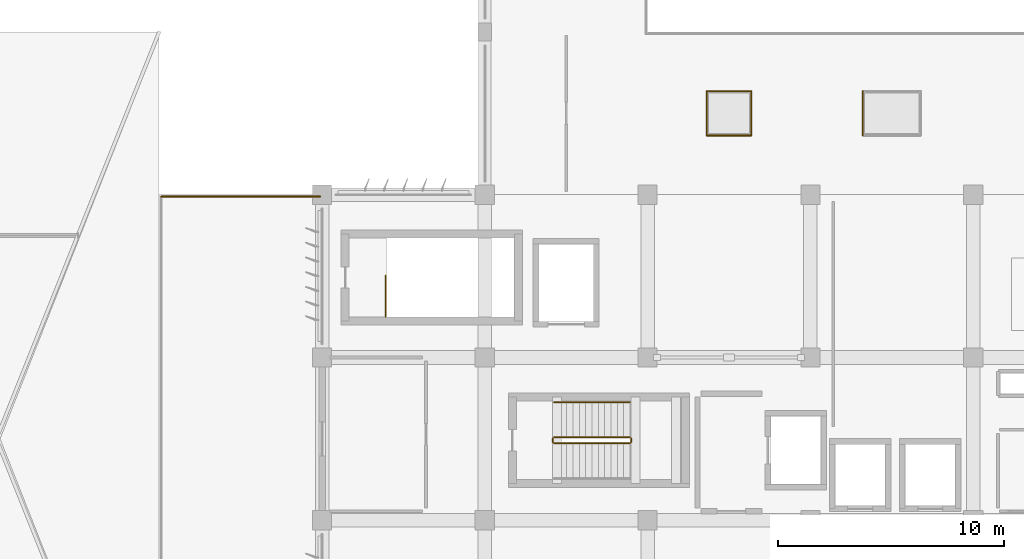
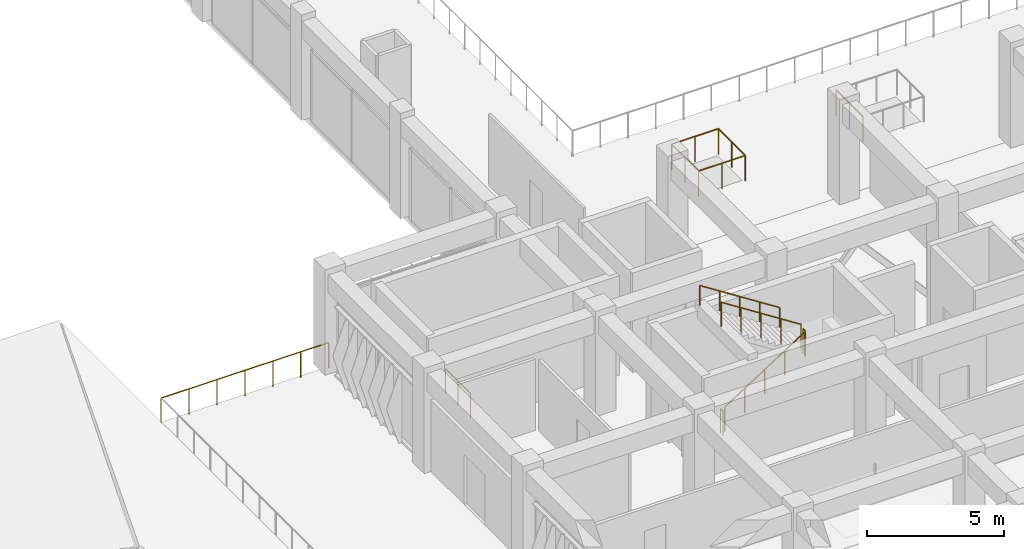
# One storey, part 50 of 55: 12 railings.
"""IFC4 building model written with IfcOpenShell, lengths in metres."""

from ifc_helpers import new_model, si_unit, direction, frame, origin, origin_2d, place, context, subcontext, project, spatial, circle, extrude, material, type_object, element, save


model = new_model("IFC4")

# Units and contexts
model_context = context("Model", 3, precision=1e-05, world=origin(), true_north=direction((0.0, 1.0)))
body_context = subcontext(model_context, "Body", "Model", "MODEL_VIEW")
ifc_project = project(units=[si_unit("LENGTHUNIT", "METRE"), si_unit("AREAUNIT", "SQUARE_METRE"), si_unit("VOLUMEUNIT", "CUBIC_METRE"), si_unit("PLANEANGLEUNIT", "RADIAN"), si_unit("MASSUNIT", "GRAM", prefix="KILO")], contexts=[model_context])

# Site, building, storey
site_placement = place(None, origin())
site = spatial("IfcSite", under=ifc_project, at=site_placement, CompositionType="ELEMENT")
building_placement = place(site_placement, origin())
building = spatial("IfcBuilding", under=site, at=building_placement, Name="Kazehaya Institute of Natural Sciences", CompositionType="ELEMENT")
storey_placement = place(building_placement, frame((0.0, 0.0, 15.1201171875)))
storey = spatial("IfcBuildingStorey", under=building, at=storey_placement, Name="L03", CompositionType="ELEMENT", Elevation=15.1201171875)

# Railings
ifc_material_1 = material(Name="Precast limestone and bronze balustrade", Category="masonry")
railing_type_1 = type_object("IfcRailingType", Name="RL-GUARD-TER", PredefinedType="BALUSTRADE", material=ifc_material_1)
railing_1_placement = place(storey_placement, frame((54.52001953125, 35.52001953125, 0.0)))
element("IfcRailing", 1, at=railing_1_placement, inside=storey, type_object=railing_type_1, Name="L03 terrace balustrade GRD-L03-014", PredefinedType="BALUSTRADE", context=body_context, shape_type="SweptSolid", body=[
    extrude(circle(Radius=0.02392578125, at=origin_2d()), frame((0.0, 0.0, 1.1259765625), z_axis=(-1.0, 0.0, 0.0), x_axis=(0.0, -1.0, 0.0)), (0.0, 0.0, 1.0), 7.0400390625),
    extrude(circle(Radius=0.02099609375, at=origin_2d()), origin(), (0.0, 0.0, 1.0), 1.101806640625),
    extrude(circle(Radius=0.02099609375, at=origin_2d()), frame((-1.17333984375, 0.0, 0.0)), (0.0, 0.0, 1.0), 1.101806640625),
    extrude(circle(Radius=0.02099609375, at=origin_2d()), frame((-2.3466796875, 0.0, 0.0)), (0.0, 0.0, 1.0), 1.101806640625),
    extrude(circle(Radius=0.02099609375, at=origin_2d()), frame((-3.52001953125, 0.0, 0.0)), (0.0, 0.0, 1.0), 1.101806640625),
    extrude(circle(Radius=0.02099609375, at=origin_2d()), frame((-4.693359375, 0.0, 0.0)), (0.0, 0.0, 1.0), 1.101806640625),
    extrude(circle(Radius=0.02099609375, at=origin_2d()), frame((-5.86669921875, 0.0, 0.0)), (0.0, 0.0, 1.0), 1.101806640625),
    extrude(circle(Radius=0.02099609375, at=origin_2d()), frame((-7.0400390625, 0.0, 0.0)), (0.0, 0.0, 1.0), 1.101806640625),
])
ifc_material_2 = material(Name="Structural steel SN490B", Category="steel")
railing_type_2 = type_object("IfcRailingType", Name="RL-GUARD-VOID", PredefinedType="GUARDRAIL", material=ifc_material_2)
railing_2_placement = place(storey_placement, frame((71.6201171875, 38.219970703125, 0.0)))
element("IfcRailing", 2, at=railing_2_placement, inside=storey, type_object=railing_type_2, Name="L03 skylight 01 perimeter guard 1", PredefinedType="GUARDRAIL", context=body_context, shape_type="SweptSolid", body=[
    extrude(circle(Radius=0.02392578125, at=origin_2d()), frame((0.0, 0.0, 1.1259765625), z_axis=(1.0, 0.0, 0.0), x_axis=(0.0, 1.0, 0.0)), (0.0, 0.0, 1.0), 1.9599609375),
    extrude(circle(Radius=0.02099609375, at=origin_2d()), origin(), (0.0, 0.0, 1.0), 1.101806640625),
    extrude(circle(Radius=0.02099609375, at=origin_2d()), frame((0.97998046875, 0.0, 0.0)), (0.0, 0.0, 1.0), 1.101806640625),
    extrude(circle(Radius=0.02099609375, at=origin_2d()), frame((1.9599609375, 0.0, 0.0)), (0.0, 0.0, 1.0), 1.101806640625),
])
railing_3_placement = place(storey_placement, frame((73.580078125, 38.219970703125, 0.0)))
element("IfcRailing", 3, at=railing_3_placement, inside=storey, type_object=railing_type_2, Name="L03 skylight 01 perimeter guard 2", PredefinedType="GUARDRAIL", context=body_context, shape_type="SweptSolid", body=[
    extrude(circle(Radius=0.02392578125, at=origin_2d()), frame((0.0, 0.0, 1.1259765625), z_axis=(0.0, 1.0, 0.0), x_axis=(-1.0, 0.0, 0.0)), (0.0, 0.0, 1.0), 1.9599609375),
    extrude(circle(Radius=0.02099609375, at=origin_2d()), origin(), (0.0, 0.0, 1.0), 1.101806640625),
    extrude(circle(Radius=0.02099609375, at=origin_2d()), frame((0.0, 0.97998046875, 0.0)), (0.0, 0.0, 1.0), 1.101806640625),
    extrude(circle(Radius=0.02099609375, at=origin_2d()), frame((0.0, 1.9599609375, 0.0)), (0.0, 0.0, 1.0), 1.101806640625),
])
railing_4_placement = place(storey_placement, frame((73.580078125, 40.179931640625, 0.0)))
element("IfcRailing", 4, at=railing_4_placement, inside=storey, type_object=railing_type_2, Name="L03 skylight 01 perimeter guard 3", PredefinedType="GUARDRAIL", context=body_context, shape_type="SweptSolid", body=[
    extrude(circle(Radius=0.02392578125, at=origin_2d()), frame((0.0, 0.0, 1.1259765625), z_axis=(-1.0, 0.0, 0.0), x_axis=(0.0, -1.0, 0.0)), (0.0, 0.0, 1.0), 1.9599609375),
    extrude(circle(Radius=0.02099609375, at=origin_2d()), origin(), (0.0, 0.0, 1.0), 1.101806640625),
    extrude(circle(Radius=0.02099609375, at=origin_2d()), frame((-0.97998046875, 0.0, 0.0)), (0.0, 0.0, 1.0), 1.101806640625),
    extrude(circle(Radius=0.02099609375, at=origin_2d()), frame((-1.9599609375, 0.0, 0.0)), (0.0, 0.0, 1.0), 1.101806640625),
])
for number, where, name in (
    (5, (71.6201171875, 40.179931640625, 0.0), "L03 skylight 01 perimeter guard 4"),
    (6, (78.52001953125, 40.179931640625, 0.0), "L03 skylight 02 perimeter guard 4"),
):
    element("IfcRailing", number, at=place(storey_placement, frame(where)), inside=storey, type_object=railing_type_2, Name=name, PredefinedType="GUARDRAIL", context=body_context, shape_type="SweptSolid", body=[
        extrude(circle(Radius=0.02392578125, at=origin_2d()), frame((0.0, 0.0, 1.1259765625), z_axis=(0.0, -1.0, 0.0), x_axis=(1.0, 0.0, 0.0)), (0.0, 0.0, 1.0), 1.9599609375),
        extrude(circle(Radius=0.02099609375, at=origin_2d()), origin(), (0.0, 0.0, 1.0), 1.101806640625),
        extrude(circle(Radius=0.02099609375, at=origin_2d()), frame((0.0, -0.97998046875, 0.0)), (0.0, 0.0, 1.0), 1.101806640625),
        extrude(circle(Radius=0.02099609375, at=origin_2d()), frame((0.0, -1.9599609375, 0.0)), (0.0, 0.0, 1.0), 1.101806640625),
    ])
railing_type_3 = type_object("IfcRailingType", Name="RL-STAIR-GRD", PredefinedType="GUARDRAIL", material=ifc_material_2)
railing_5_placement = place(storey_placement, frame((64.860107421875, 24.610107421875, 0.179931640625)))
element("IfcRailing", 7, at=railing_5_placement, inside=storey, type_object=railing_type_3, Name="L03 ST-1 stair guard 1", PredefinedType="GUARDRAIL", context=body_context, shape_type="SweptSolid", body=[
    extrude(circle(Radius=0.02392578125, at=origin_2d()), frame((0.0, 0.0, 1.076171875), z_axis=(0.841178475377, 0.0, 0.540757591313), x_axis=(0.0, 1.0, 0.0)), (0.0, 0.0, 1.0), 3.994140625),
    extrude(circle(Radius=0.02099609375, at=origin_2d()), origin(), (0.0, 0.0, 1.0), 1.052001953125),
    extrude(circle(Radius=0.02099609375, at=origin_2d()), frame((0.83984375, 0.0, 0.5400390625)), (0.0, 0.0, 1.0), 1.052001953125),
    extrude(circle(Radius=0.02099609375, at=origin_2d()), frame((1.679931640625, 0.0, 1.080078125)), (0.0, 0.0, 1.0), 1.052001953125),
    extrude(circle(Radius=0.02099609375, at=origin_2d()), frame((2.52001953125, 0.0, 1.619873046875)), (0.0, 0.0, 1.0), 1.052001953125),
    extrude(circle(Radius=0.02099609375, at=origin_2d()), frame((3.35986328125, 0.0, 2.159912109375)), (0.0, 0.0, 1.0), 1.052001953125),
])
railing_6_placement = place(storey_placement, frame((68.27001953125, 24.659912109375, 2.33984375)))
element("IfcRailing", 8, at=railing_6_placement, inside=storey, type_object=railing_type_3, Name="L03 ST-1 stair guard 2", PredefinedType="GUARDRAIL", context=body_context, shape_type="SweptSolid", body=[
    extrude(circle(Radius=0.02392578125, at=origin_2d()), frame((0.0, 0.0, 1.076171875), z_axis=(0.0, 1.0, 0.0), x_axis=(-1.0, 0.0, 0.0)), (0.0, 0.0, 1.0), 0.16015625),
    extrude(circle(Radius=0.02099609375, at=origin_2d()), origin(), (0.0, 0.0, 1.0), 1.052001953125),
    extrude(circle(Radius=0.02099609375, at=origin_2d()), frame((0.0, 0.16015625, 0.0)), (0.0, 0.0, 1.0), 1.052001953125),
])
railing_7_placement = place(storey_placement, frame((68.219970703125, 24.8701171875, 2.519775390625)))
element("IfcRailing", 9, at=railing_7_placement, inside=storey, type_object=railing_type_3, Name="L03 ST-1 stair guard 3", PredefinedType="GUARDRAIL", context=body_context, shape_type="SweptSolid", body=[
    extrude(circle(Radius=0.02392578125, at=origin_2d()), frame((0.0, 0.0, 1.076171875), z_axis=(-0.841150671818, 0.0, 0.540800838849), x_axis=(0.0, -1.0, 0.0)), (0.0, 0.0, 1.0), 3.994384765625),
    extrude(circle(Radius=0.02099609375, at=origin_2d()), origin(), (0.0, 0.0, 1.0), 1.052001953125),
    extrude(circle(Radius=0.02099609375, at=origin_2d()), frame((-0.83984375, 0.0, 0.5400390625)), (0.0, 0.0, 1.0), 1.052001953125),
    extrude(circle(Radius=0.02099609375, at=origin_2d()), frame((-1.679931640625, 0.0, 1.080078125)), (0.0, 0.0, 1.0), 1.052001953125),
    extrude(circle(Radius=0.02099609375, at=origin_2d()), frame((-2.52001953125, 0.0, 1.6201171875)), (0.0, 0.0, 1.0), 1.052001953125),
    extrude(circle(Radius=0.02099609375, at=origin_2d()), frame((-3.35986328125, 0.0, 2.16015625)), (0.0, 0.0, 1.0), 1.052001953125),
])
railing_8_placement = place(storey_placement, frame((64.81005859375, 24.659912109375, 0.0)))
element("IfcRailing", 10, at=railing_8_placement, inside=storey, type_object=railing_type_3, Name="L03 ST-1 stair guard 4", PredefinedType="GUARDRAIL", context=body_context, shape_type="SweptSolid", body=[
    extrude(circle(Radius=0.02392578125, at=origin_2d()), frame((0.0, 0.0, 1.076171875), z_axis=(0.0, 1.0, 0.0), x_axis=(-1.0, 0.0, 0.0)), (0.0, 0.0, 1.0), 0.16015625),
    extrude(circle(Radius=0.02099609375, at=origin_2d()), origin(), (0.0, 0.0, 1.0), 1.052001953125),
    extrude(circle(Radius=0.02099609375, at=origin_2d()), frame((0.0, 0.16015625, 0.0)), (0.0, 0.0, 1.0), 1.052001953125),
])
railing_9_placement = place(storey_placement, frame((57.409912109375, 30.199951171875, 0.0)))
element("IfcRailing", 11, at=railing_9_placement, inside=storey, type_object=railing_type_3, Name="L03 ST-4 top well guard 1", PredefinedType="GUARDRAIL", context=body_context, shape_type="SweptSolid", body=[
    extrude(circle(Radius=0.02392578125, at=origin_2d()), frame((0.0, 0.0, 1.076171875), z_axis=(0.0, 1.0, 0.0), x_axis=(-1.0, 0.0, 0.0)), (0.0, 0.0, 1.0), 1.820068359375),
    extrude(circle(Radius=0.02099609375, at=origin_2d()), origin(), (0.0, 0.0, 1.0), 1.052001953125),
    extrude(circle(Radius=0.02099609375, at=origin_2d()), frame((0.0, 0.91015625, 0.0)), (0.0, 0.0, 1.0), 1.052001953125),
    extrude(circle(Radius=0.02099609375, at=origin_2d()), frame((0.0, 1.820068359375, 0.0)), (0.0, 0.0, 1.0), 1.052001953125),
])
ifc_material_3 = material(Name="Brushed stainless steel handrail", Category="steel")
railing_type_4 = type_object("IfcRailingType", Name="RL-STAIR-HND", PredefinedType="HANDRAIL", material=ifc_material_3)
railing_10_placement = place(storey_placement, frame((68.219970703125, 26.429931640625, 2.519775390625)))
element("IfcRailing", 12, at=railing_10_placement, inside=storey, type_object=railing_type_4, Name="L03 ST-1 stair handrail 2", PredefinedType="HANDRAIL", context=body_context, shape_type="SweptSolid", body=[
    extrude(circle(Radius=0.02392578125, at=origin_2d()), frame((0.0, 0.0, 0.8759765625), z_axis=(-0.841150671818, 0.0, 0.540800838849), x_axis=(0.0, -1.0, 0.0)), (0.0, 0.0, 1.0), 3.994384765625),
    extrude(circle(Radius=0.02099609375, at=origin_2d()), origin(), (0.0, 0.0, 1.0), 0.851806640625),
    extrude(circle(Radius=0.02099609375, at=origin_2d()), frame((-0.83984375, 0.0, 0.5400390625)), (0.0, 0.0, 1.0), 0.851806640625),
    extrude(circle(Radius=0.02099609375, at=origin_2d()), frame((-1.679931640625, 0.0, 1.080078125)), (0.0, 0.0, 1.0), 0.851806640625),
    extrude(circle(Radius=0.02099609375, at=origin_2d()), frame((-2.52001953125, 0.0, 1.6201171875)), (0.0, 0.0, 1.0), 0.851806640625),
    extrude(circle(Radius=0.02099609375, at=origin_2d()), frame((-3.35986328125, 0.0, 2.16015625)), (0.0, 0.0, 1.0), 0.851806640625),
])

save(model, "model.ifc")
